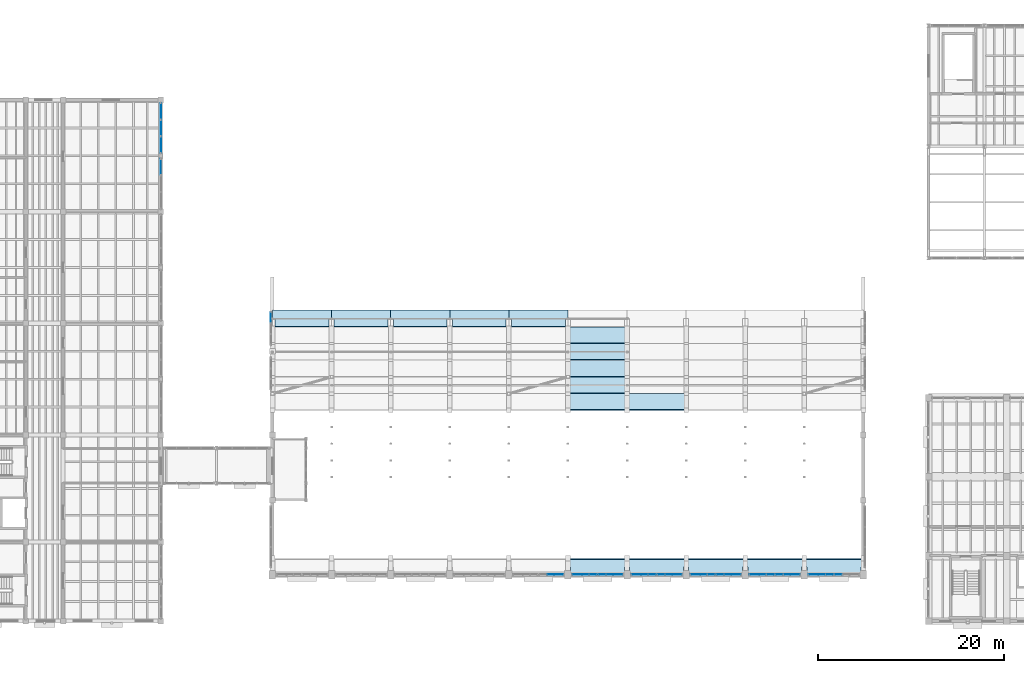
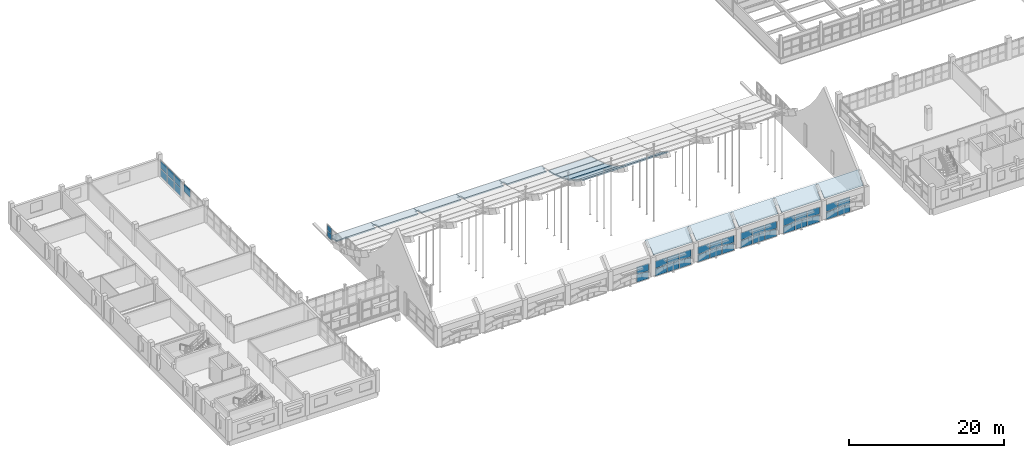
# One storey, part 50 of 77: 39 plates, 16 slabs, 9 elements without a shape of their own.
"""IFC4 building model written with IfcOpenShell, lengths in metres."""

from ifc_helpers import new_model, si_unit, direction, frame, origin, origin_2d, place, context, subcontext, project, spatial, polyline, rectangle, outline, extrude, material, layer, layer_set, type_object, element, aggregate, save


model = new_model("IFC4")

# Units and contexts
model_context = context("Model", 3, precision=1e-05, world=origin(), true_north=direction((0.0, 1.0)))
body_context = subcontext(model_context, "Body", "Model", "MODEL_VIEW")
ifc_project = project(units=[si_unit("LENGTHUNIT", "METRE"), si_unit("AREAUNIT", "SQUARE_METRE"), si_unit("VOLUMEUNIT", "CUBIC_METRE"), si_unit("PLANEANGLEUNIT", "RADIAN"), si_unit("MASSUNIT", "GRAM", prefix="KILO")], contexts=[model_context])

# Site, building, storey
site_placement = place(None, origin())
site = spatial("IfcSite", under=ifc_project, at=site_placement, CompositionType="ELEMENT")
building_placement = place(site_placement, origin())
building = spatial("IfcBuilding", under=site, at=building_placement, Name="Trellovar Central Fire Station", CompositionType="ELEMENT")
storey_placement = place(building_placement, frame((0.0, 0.0, 5.85009765625)))
storey = spatial("IfcBuildingStorey", under=building, at=storey_placement, Name="L02", CompositionType="ELEMENT", Elevation=5.85009765625)

# Curtain wall, plate
ifc_material_1 = material(Name="Thermally broken bronze anodized aluminum", Category="aluminium")
ifc_layer_1 = layer(ifc_material_1, 0.159912109375)
ifc_layer_set_1 = layer_set([ifc_layer_1], Name="Thermally broken bronze anodized aluminum")
curtain_wall_type_1 = type_object("IfcCurtainWallType", Name="CW-05", PredefinedType="NOTDEFINED", material=ifc_layer_set_1)
curtain_wall_1_placement = place(storey_placement, origin())
curtain_wall_1 = element("IfcCurtainWall", 1, at=curtain_wall_1_placement, inside=storey, type_object=curtain_wall_type_1, Name="V1 south upper clerestory 5", PredefinedType="NOTDEFINED")
ifc_material_2 = material(Name="Double low-E solar control insulated glazing", Category="glass")
ifc_layer_2 = layer(ifc_material_2, 0.031982421875)
ifc_layer_set_2 = layer_set([ifc_layer_2], Name="Double low-E solar control insulated glazing")
plate_type_1 = type_object("IfcPlateType", Name="CWP-GL1", PredefinedType="CURTAIN_PANEL", material=ifc_layer_set_2)
plate_1_placement = place(storey_placement, frame((65.3916015625, 14.0, 0.764892578125), z_axis=(0.0, 0.0, 1.0), x_axis=(1.0, 0.0, 0.0)))
plate_1 = element("IfcPlate", 2, at=plate_1_placement, type_object=plate_type_1, Name="CW3-L02-0005 panel 3-2", PredefinedType="CURTAIN_PANEL", context=body_context, shape_type="SweptSolid", body=[
    extrude(rectangle(XDim=1.73681640625, YDim=0.031982421875, at=origin_2d()), origin(), (0.0, 0.0, 1.0), 1.14501953125),
])

curtain_wall_2_placement = place(storey_placement, origin())
curtain_wall_2 = element("IfcCurtainWall", 3, at=curtain_wall_2_placement, inside=storey, type_object=curtain_wall_type_1, Name="V1 south upper clerestory 6", PredefinedType="NOTDEFINED")
plate_2_placement = place(storey_placement, frame((69.925048828125, 14.0, 0.764892578125), z_axis=(0.0, 0.0, 1.0), x_axis=(1.0, 0.0, 0.0)))
plate_2 = element("IfcPlate", 4, at=plate_2_placement, type_object=plate_type_1, Name="CW3-L02-0006 panel 2-2", PredefinedType="CURTAIN_PANEL", context=body_context, shape_type="SweptSolid", body=[
    extrude(rectangle(XDim=1.736572265625, YDim=0.031982421875, at=origin_2d()), origin(), (0.0, 0.0, 1.0), 1.14501953125),
])

curtain_wall_3_placement = place(storey_placement, origin())
curtain_wall_3 = element("IfcCurtainWall", 5, at=curtain_wall_3_placement, inside=storey, type_object=curtain_wall_type_1, Name="V1 south upper clerestory 7", PredefinedType="NOTDEFINED")
plate_3_placement = place(storey_placement, frame((74.458251953125, 14.0, 0.764892578125), z_axis=(0.0, 0.0, 1.0), x_axis=(1.0, 0.0, 0.0)))
plate_3 = element("IfcPlate", 6, at=plate_3_placement, type_object=plate_type_1, Name="CW3-L02-0007 panel 1-2", PredefinedType="CURTAIN_PANEL", context=body_context, shape_type="SweptSolid", body=[
    extrude(rectangle(XDim=1.73681640625, YDim=0.031982421875, at=origin_2d()), origin(), (0.0, 0.0, 1.0), 1.14501953125),
])

curtain_wall_4_placement = place(storey_placement, origin())
curtain_wall_4 = element("IfcCurtainWall", 7, at=curtain_wall_4_placement, inside=storey, type_object=curtain_wall_type_1, Name="V1 south upper clerestory 9", PredefinedType="NOTDEFINED")
plate_4_placement = place(storey_placement, frame((90.791748046875, 14.0, 0.764892578125), z_axis=(0.0, 0.0, 1.0), x_axis=(1.0, 0.0, 0.0)))
plate_4 = element("IfcPlate", 8, at=plate_4_placement, type_object=plate_type_1, Name="CW3-L02-0009 panel 3-2", PredefinedType="CURTAIN_PANEL", context=body_context, shape_type="SweptSolid", body=[
    extrude(rectangle(XDim=1.73681640625, YDim=0.031982421875, at=origin_2d()), origin(), (0.0, 0.0, 1.0), 1.14501953125),
])

curtain_wall_5_placement = place(storey_placement, origin())
curtain_wall_5 = element("IfcCurtainWall", 9, at=curtain_wall_5_placement, inside=storey, type_object=curtain_wall_type_1, Name="V1 south upper clerestory 10", PredefinedType="NOTDEFINED")
plate_5_placement = place(storey_placement, frame((95.324951171875, 14.0, 0.764892578125), z_axis=(0.0, 0.0, 1.0), x_axis=(1.0, 0.0, 0.0)))
plate_5 = element("IfcPlate", 10, at=plate_5_placement, type_object=plate_type_1, Name="CW3-L02-0010 panel 2-2", PredefinedType="CURTAIN_PANEL", context=body_context, shape_type="SweptSolid", body=[
    extrude(rectangle(XDim=1.736572265625, YDim=0.031982421875, at=origin_2d()), origin(), (0.0, 0.0, 1.0), 1.14501953125),
])

# Plate
ifc_material_3 = material(Name="Double low-E solar control insulated glazing", Category="glass")
ifc_layer_3 = layer(ifc_material_3, 0.035888671875)
ifc_layer_set_3 = layer_set([ifc_layer_3], Name="Double low-E solar control insulated glazing")
plate_type_2 = type_object("IfcPlateType", Name="CWP-GL2", PredefinedType="CURTAIN_PANEL", material=ifc_layer_set_3)
plate_6_placement = place(storey_placement, frame((71.74169921875, 14.0, 0.764892578125), z_axis=(0.0, 0.0, 1.0), x_axis=(1.0, 0.0, 0.0)))
plate_6 = element("IfcPlate", 11, at=plate_6_placement, type_object=plate_type_2, Name="CW3-L02-0006 panel 3-2", PredefinedType="CURTAIN_PANEL", context=body_context, shape_type="SweptSolid", body=[
    extrude(rectangle(XDim=1.73681640625, YDim=0.035888671875, at=origin_2d()), origin(), (0.0, 0.0, 1.0), 1.14501953125),
])

plate_7_placement = place(storey_placement, frame((76.27490234375, 14.0, 0.764892578125), z_axis=(0.0, 0.0, 1.0), x_axis=(1.0, 0.0, 0.0)))
plate_7 = element("IfcPlate", 12, at=plate_7_placement, type_object=plate_type_2, Name="CW3-L02-0007 panel 2-2", PredefinedType="CURTAIN_PANEL", context=body_context, shape_type="SweptSolid", body=[
    extrude(rectangle(XDim=1.736572265625, YDim=0.035888671875, at=origin_2d()), origin(), (0.0, 0.0, 1.0), 1.14501953125),
])

# Curtain wall, plate
curtain_wall_6_placement = place(storey_placement, origin())
curtain_wall_6 = element("IfcCurtainWall", 13, at=curtain_wall_6_placement, inside=storey, type_object=curtain_wall_type_1, Name="V1 south upper clerestory 8", PredefinedType="NOTDEFINED")
plate_8_placement = place(storey_placement, frame((80.808349609375, 14.0, 0.764892578125), z_axis=(0.0, 0.0, 1.0), x_axis=(1.0, 0.0, 0.0)))
plate_8 = element("IfcPlate", 14, at=plate_8_placement, type_object=plate_type_2, Name="CW3-L02-0008 panel 1-2", PredefinedType="CURTAIN_PANEL", context=body_context, shape_type="SweptSolid", body=[
    extrude(rectangle(XDim=1.73681640625, YDim=0.035888671875, at=origin_2d()), origin(), (0.0, 0.0, 1.0), 1.14501953125),
])

ifc_material_4 = material(Name="Thermally broken bronze anodized aluminum", Category="aluminium")
ifc_layer_4 = layer(ifc_material_4, 0.159912109375)
ifc_layer_set_4 = layer_set([ifc_layer_4], Name="Thermally broken bronze anodized aluminum")
curtain_wall_type_2 = type_object("IfcCurtainWallType", Name="CW-07", PredefinedType="NOTDEFINED", material=ifc_layer_set_4)
curtain_wall_7_placement = place(storey_placement, origin())
curtain_wall_7 = element("IfcCurtainWall", 15, at=curtain_wall_7_placement, inside=storey, type_object=curtain_wall_type_2, Name="V1 W ski-jump gable clerestory 5", PredefinedType="NOTDEFINED")
plate_9_placement = place(storey_placement, frame((34.820068359375, 41.61669921875, 0.14013671875), z_axis=(0.0, 0.0, 1.0), x_axis=(0.0, 1.0, 0.0)))
plate_9 = element("IfcPlate", 16, at=plate_9_placement, type_object=plate_type_2, Name="CW3-L02-0015 panel 3-1", PredefinedType="CURTAIN_PANEL", context=body_context, shape_type="SweptSolid", body=[
    extrude(rectangle(XDim=1.086669921875, YDim=0.035888671875, at=origin_2d()), origin(), (0.0, 0.0, 1.0), 0.844970703125),
])

ifc_material_5 = material(Name="Thermally broken bronze anodized aluminum", Category="aluminium")
ifc_layer_5 = layer(ifc_material_5, 0.159912109375)
ifc_layer_set_5 = layer_set([ifc_layer_5], Name="Thermally broken bronze anodized aluminum")
curtain_wall_type_3 = type_object("IfcCurtainWallType", Name="CW-02", PredefinedType="NOTDEFINED", material=ifc_layer_set_5)
curtain_wall_8_placement = place(storey_placement, origin())
curtain_wall_8 = element("IfcCurtainWall", 17, at=curtain_wall_8_placement, inside=storey, type_object=curtain_wall_type_3, Name="L02 curtain wall CW-2", PredefinedType="NOTDEFINED")
plate_10_placement = place(storey_placement, frame((23.0, 60.19580078125, 1.31494140625), z_axis=(0.0, 0.0, 1.0), x_axis=(0.0, 1.0, 0.0)))
plate_10 = element("IfcPlate", 18, at=plate_10_placement, type_object=plate_type_2, Name="CW3-L02-0044 panel 1-2", PredefinedType="CURTAIN_PANEL", context=body_context, shape_type="SweptSolid", body=[
    extrude(rectangle(XDim=1.711669921875, YDim=0.035888671875, at=origin_2d()), origin(), (0.0, 0.0, 1.0), 1.195068359375),
])

# Plate
ifc_material_6 = material(Name="Double low-E solar control insulated glazing", Category="glass")
ifc_layer_6 = layer(ifc_material_6, 0.033935546875)
ifc_layer_set_6 = layer_set([ifc_layer_6], Name="Double low-E solar control insulated glazing")
plate_type_3 = type_object("IfcPlateType", Name="CWP-GL3", PredefinedType="CURTAIN_PANEL", material=ifc_layer_set_6)
plate_11_placement = place(storey_placement, frame((78.091796875, 14.0, 0.764892578125), z_axis=(0.0, 0.0, 1.0), x_axis=(1.0, 0.0, 0.0)))
plate_11 = element("IfcPlate", 19, at=plate_11_placement, type_object=plate_type_3, Name="CW3-L02-0007 panel 3-2", PredefinedType="CURTAIN_PANEL", context=body_context, shape_type="SweptSolid", body=[
    extrude(rectangle(XDim=1.73681640625, YDim=0.033935546875, at=origin_2d()), origin(), (0.0, 0.0, 1.0), 1.14501953125),
])

plate_12_placement = place(storey_placement, frame((82.625, 14.0, 0.764892578125), z_axis=(0.0, 0.0, 1.0), x_axis=(1.0, 0.0, 0.0)))
plate_12 = element("IfcPlate", 20, at=plate_12_placement, type_object=plate_type_3, Name="CW3-L02-0008 panel 2-2", PredefinedType="CURTAIN_PANEL", context=body_context, shape_type="SweptSolid", body=[
    extrude(rectangle(XDim=1.736572265625, YDim=0.033935546875, at=origin_2d()), origin(), (0.0, 0.0, 1.0), 1.14501953125),
])

plate_13_placement = place(storey_placement, frame((87.158203125, 14.0, 0.764892578125), z_axis=(0.0, 0.0, 1.0), x_axis=(1.0, 0.0, 0.0)))
plate_13 = element("IfcPlate", 21, at=plate_13_placement, type_object=plate_type_3, Name="CW3-L02-0009 panel 1-2", PredefinedType="CURTAIN_PANEL", context=body_context, shape_type="SweptSolid", body=[
    extrude(rectangle(XDim=1.73681640625, YDim=0.033935546875, at=origin_2d()), origin(), (0.0, 0.0, 1.0), 1.14501953125),
])

plate_14_placement = place(storey_placement, frame((34.820068359375, 41.61669921875, 1.06494140625), z_axis=(0.0, 0.0, 1.0), x_axis=(0.0, 1.0, 0.0)))
plate_14 = element("IfcPlate", 22, at=plate_14_placement, type_object=plate_type_3, Name="CW3-L02-0015 panel 3-2", PredefinedType="CURTAIN_PANEL", context=body_context, shape_type="SweptSolid", body=[
    extrude(rectangle(XDim=1.086669921875, YDim=0.033935546875, at=origin_2d()), origin(), (0.0, 0.0, 1.0), 0.844970703125),
])

aggregate(curtain_wall_7, [plate_9, plate_14])

# Curtain wall, plate
curtain_wall_9_placement = place(storey_placement, origin())
curtain_wall_9 = element("IfcCurtainWall", 23, at=curtain_wall_9_placement, inside=storey, type_object=curtain_wall_type_3, Name="L02 curtain wall CW-2", PredefinedType="NOTDEFINED")
plate_15_placement = place(storey_placement, frame((23.0, 57.80419921875, 1.31494140625), z_axis=(0.0, 0.0, 1.0), x_axis=(0.0, 1.0, 0.0)))
plate_15 = element("IfcPlate", 24, at=plate_15_placement, type_object=plate_type_3, Name="CW3-L02-0043 panel 3-2", PredefinedType="CURTAIN_PANEL", context=body_context, shape_type="SweptSolid", body=[
    extrude(rectangle(XDim=1.711669921875, YDim=0.033935546875, at=origin_2d()), origin(), (0.0, 0.0, 1.0), 1.195068359375),
])
aggregate(curtain_wall_9, [plate_15])

# Plate
plate_16_placement = place(storey_placement, frame((23.0, 61.987548828125, 1.31494140625), z_axis=(0.0, 0.0, 1.0), x_axis=(0.0, 1.0, 0.0)))
plate_16 = element("IfcPlate", 25, at=plate_16_placement, type_object=plate_type_3, Name="CW3-L02-0044 panel 2-2", PredefinedType="CURTAIN_PANEL", context=body_context, shape_type="SweptSolid", body=[
    extrude(rectangle(XDim=1.711669921875, YDim=0.033935546875, at=origin_2d()), origin(), (0.0, 0.0, 1.0), 1.195068359375),
])

ifc_material_7 = material(Name="Double low-E solar control insulated glazing", Category="glass")
ifc_layer_7 = layer(ifc_material_7, 0.030029296875)
ifc_layer_set_7 = layer_set([ifc_layer_7], Name="Double low-E solar control insulated glazing")
plate_type_4 = type_object("IfcPlateType", Name="CWP-GL4", PredefinedType="CURTAIN_PANEL", material=ifc_layer_set_7)
plate_17_placement = place(storey_placement, frame((68.1083984375, 14.0, 0.764892578125), z_axis=(0.0, 0.0, 1.0), x_axis=(1.0, 0.0, 0.0)))
plate_17 = element("IfcPlate", 26, at=plate_17_placement, type_object=plate_type_4, Name="CW3-L02-0006 panel 1-2", PredefinedType="CURTAIN_PANEL", context=body_context, shape_type="SweptSolid", body=[
    extrude(rectangle(XDim=1.73681640625, YDim=0.030029296875, at=origin_2d()), origin(), (0.0, 0.0, 1.0), 1.14501953125),
])

plate_18_placement = place(storey_placement, frame((84.441650390625, 14.0, 0.764892578125), z_axis=(0.0, 0.0, 1.0), x_axis=(1.0, 0.0, 0.0)))
plate_18 = element("IfcPlate", 27, at=plate_18_placement, type_object=plate_type_4, Name="CW3-L02-0008 panel 3-2", PredefinedType="CURTAIN_PANEL", context=body_context, shape_type="SweptSolid", body=[
    extrude(rectangle(XDim=1.73681640625, YDim=0.030029296875, at=origin_2d()), origin(), (0.0, 0.0, 1.0), 1.14501953125),
])

plate_19_placement = place(storey_placement, frame((88.97509765625, 14.0, 0.764892578125), z_axis=(0.0, 0.0, 1.0), x_axis=(1.0, 0.0, 0.0)))
plate_19 = element("IfcPlate", 28, at=plate_19_placement, type_object=plate_type_4, Name="CW3-L02-0009 panel 2-2", PredefinedType="CURTAIN_PANEL", context=body_context, shape_type="SweptSolid", body=[
    extrude(rectangle(XDim=1.736572265625, YDim=0.030029296875, at=origin_2d()), origin(), (0.0, 0.0, 1.0), 1.14501953125),
])

plate_20_placement = place(storey_placement, frame((93.50830078125, 14.0, 0.764892578125), z_axis=(0.0, 0.0, 1.0), x_axis=(1.0, 0.0, 0.0)))
plate_20 = element("IfcPlate", 29, at=plate_20_placement, type_object=plate_type_4, Name="CW3-L02-0010 panel 1-2", PredefinedType="CURTAIN_PANEL", context=body_context, shape_type="SweptSolid", body=[
    extrude(rectangle(XDim=1.73681640625, YDim=0.030029296875, at=origin_2d()), origin(), (0.0, 0.0, 1.0), 1.14501953125),
])

plate_21_placement = place(storey_placement, frame((23.0, 63.779052734375, 1.31494140625), z_axis=(0.0, 0.0, 1.0), x_axis=(0.0, 1.0, 0.0)))
plate_21 = element("IfcPlate", 30, at=plate_21_placement, type_object=plate_type_4, Name="CW3-L02-0044 panel 3-2", PredefinedType="CURTAIN_PANEL", context=body_context, shape_type="SweptSolid", body=[
    extrude(rectangle(XDim=1.711669921875, YDim=0.030029296875, at=origin_2d()), origin(), (0.0, 0.0, 1.0), 1.195068359375),
])

ifc_material_8 = material(Name="Glazed ceramic trencadis and terracotta panel", Category="masonry")
ifc_layer_8 = layer(ifc_material_8, 0.048095703125)
ifc_layer_set_8 = layer_set([ifc_layer_8], Name="Glazed ceramic trencadis and terracotta panel")
plate_type_5 = type_object("IfcPlateType", Name="CWP-SP1", PredefinedType="CURTAIN_PANEL", material=ifc_layer_set_8)
plate_22_placement = place(storey_placement, frame((68.1083984375, 14.0, -0.460205078125), z_axis=(0.0, 0.0, 1.0), x_axis=(1.0, 0.0, 0.0)))
plate_22 = element("IfcPlate", 31, at=plate_22_placement, type_object=plate_type_5, Name="CW3-L02-0006 panel 1-1", PredefinedType="CURTAIN_PANEL", context=body_context, shape_type="SweptSolid", body=[
    extrude(rectangle(XDim=1.73681640625, YDim=0.048095703125, at=origin_2d()), origin(), (0.0, 0.0, 1.0), 1.14501953125),
])

plate_23_placement = place(storey_placement, frame((71.74169921875, 14.0, -0.460205078125), z_axis=(0.0, 0.0, 1.0), x_axis=(1.0, 0.0, 0.0)))
plate_23 = element("IfcPlate", 32, at=plate_23_placement, type_object=plate_type_5, Name="CW3-L02-0006 panel 3-1", PredefinedType="CURTAIN_PANEL", context=body_context, shape_type="SweptSolid", body=[
    extrude(rectangle(XDim=1.73681640625, YDim=0.048095703125, at=origin_2d()), origin(), (0.0, 0.0, 1.0), 1.14501953125),
])

plate_24_placement = place(storey_placement, frame((76.27490234375, 14.0, -0.460205078125), z_axis=(0.0, 0.0, 1.0), x_axis=(1.0, 0.0, 0.0)))
plate_24 = element("IfcPlate", 33, at=plate_24_placement, type_object=plate_type_5, Name="CW3-L02-0007 panel 2-1", PredefinedType="CURTAIN_PANEL", context=body_context, shape_type="SweptSolid", body=[
    extrude(rectangle(XDim=1.736572265625, YDim=0.048095703125, at=origin_2d()), origin(), (0.0, 0.0, 1.0), 1.14501953125),
])

plate_25_placement = place(storey_placement, frame((80.808349609375, 14.0, -0.460205078125), z_axis=(0.0, 0.0, 1.0), x_axis=(1.0, 0.0, 0.0)))
plate_25 = element("IfcPlate", 34, at=plate_25_placement, type_object=plate_type_5, Name="CW3-L02-0008 panel 1-1", PredefinedType="CURTAIN_PANEL", context=body_context, shape_type="SweptSolid", body=[
    extrude(rectangle(XDim=1.73681640625, YDim=0.048095703125, at=origin_2d()), origin(), (0.0, 0.0, 1.0), 1.14501953125),
])

plate_26_placement = place(storey_placement, frame((84.441650390625, 14.0, -0.460205078125), z_axis=(0.0, 0.0, 1.0), x_axis=(1.0, 0.0, 0.0)))
plate_26 = element("IfcPlate", 35, at=plate_26_placement, type_object=plate_type_5, Name="CW3-L02-0008 panel 3-1", PredefinedType="CURTAIN_PANEL", context=body_context, shape_type="SweptSolid", body=[
    extrude(rectangle(XDim=1.73681640625, YDim=0.048095703125, at=origin_2d()), origin(), (0.0, 0.0, 1.0), 1.14501953125),
])

plate_27_placement = place(storey_placement, frame((88.97509765625, 14.0, -0.460205078125), z_axis=(0.0, 0.0, 1.0), x_axis=(1.0, 0.0, 0.0)))
plate_27 = element("IfcPlate", 36, at=plate_27_placement, type_object=plate_type_5, Name="CW3-L02-0009 panel 2-1", PredefinedType="CURTAIN_PANEL", context=body_context, shape_type="SweptSolid", body=[
    extrude(rectangle(XDim=1.736572265625, YDim=0.048095703125, at=origin_2d()), origin(), (0.0, 0.0, 1.0), 1.14501953125),
])

plate_28_placement = place(storey_placement, frame((93.50830078125, 14.0, -0.460205078125), z_axis=(0.0, 0.0, 1.0), x_axis=(1.0, 0.0, 0.0)))
plate_28 = element("IfcPlate", 37, at=plate_28_placement, type_object=plate_type_5, Name="CW3-L02-0010 panel 1-1", PredefinedType="CURTAIN_PANEL", context=body_context, shape_type="SweptSolid", body=[
    extrude(rectangle(XDim=1.73681640625, YDim=0.048095703125, at=origin_2d()), origin(), (0.0, 0.0, 1.0), 1.14501953125),
])

plate_29_placement = place(storey_placement, frame((23.0, 60.19580078125, 0.0400390625), z_axis=(0.0, 0.0, 1.0), x_axis=(0.0, 1.0, 0.0)))
plate_29 = element("IfcPlate", 38, at=plate_29_placement, type_object=plate_type_5, Name="CW3-L02-0044 panel 1-1", PredefinedType="CURTAIN_PANEL", context=body_context, shape_type="SweptSolid", body=[
    extrude(rectangle(XDim=1.711669921875, YDim=0.048095703125, at=origin_2d()), origin(), (0.0, 0.0, 1.0), 1.195068359375),
])

plate_30_placement = place(storey_placement, frame((23.0, 63.779052734375, 0.0400390625), z_axis=(0.0, 0.0, 1.0), x_axis=(0.0, 1.0, 0.0)))
plate_30 = element("IfcPlate", 39, at=plate_30_placement, type_object=plate_type_5, Name="CW3-L02-0044 panel 3-1", PredefinedType="CURTAIN_PANEL", context=body_context, shape_type="SweptSolid", body=[
    extrude(rectangle(XDim=1.711669921875, YDim=0.048095703125, at=origin_2d()), origin(), (0.0, 0.0, 1.0), 1.195068359375),
])

ifc_material_9 = material(Name="Glazed ceramic trencadis and terracotta panel", Category="masonry")
ifc_layer_9 = layer(ifc_material_9, 0.044921875)
ifc_layer_set_9 = layer_set([ifc_layer_9], Name="Glazed ceramic trencadis and terracotta panel")
plate_type_6 = type_object("IfcPlateType", Name="CWP-SP2", PredefinedType="CURTAIN_PANEL", material=ifc_layer_set_9)
plate_31_placement = place(storey_placement, frame((65.3916015625, 14.0, -0.460205078125), z_axis=(0.0, 0.0, 1.0), x_axis=(1.0, 0.0, 0.0)))
plate_31 = element("IfcPlate", 40, at=plate_31_placement, type_object=plate_type_6, Name="CW3-L02-0005 panel 3-1", PredefinedType="CURTAIN_PANEL", context=body_context, shape_type="SweptSolid", body=[
    extrude(rectangle(XDim=1.73681640625, YDim=0.044921875, at=origin_2d()), origin(), (0.0, 0.0, 1.0), 1.14501953125),
])

aggregate(curtain_wall_1, [plate_31, plate_1])

plate_32_placement = place(storey_placement, frame((69.925048828125, 14.0, -0.460205078125), z_axis=(0.0, 0.0, 1.0), x_axis=(1.0, 0.0, 0.0)))
plate_32 = element("IfcPlate", 41, at=plate_32_placement, type_object=plate_type_6, Name="CW3-L02-0006 panel 2-1", PredefinedType="CURTAIN_PANEL", context=body_context, shape_type="SweptSolid", body=[
    extrude(rectangle(XDim=1.736572265625, YDim=0.044921875, at=origin_2d()), origin(), (0.0, 0.0, 1.0), 1.14501953125),
])

aggregate(curtain_wall_2, [plate_22, plate_17, plate_32, plate_2, plate_23, plate_6])

plate_33_placement = place(storey_placement, frame((74.458251953125, 14.0, -0.460205078125), z_axis=(0.0, 0.0, 1.0), x_axis=(1.0, 0.0, 0.0)))
plate_33 = element("IfcPlate", 42, at=plate_33_placement, type_object=plate_type_6, Name="CW3-L02-0007 panel 1-1", PredefinedType="CURTAIN_PANEL", context=body_context, shape_type="SweptSolid", body=[
    extrude(rectangle(XDim=1.73681640625, YDim=0.044921875, at=origin_2d()), origin(), (0.0, 0.0, 1.0), 1.14501953125),
])

plate_34_placement = place(storey_placement, frame((78.091796875, 14.0, -0.460205078125), z_axis=(0.0, 0.0, 1.0), x_axis=(1.0, 0.0, 0.0)))
plate_34 = element("IfcPlate", 43, at=plate_34_placement, type_object=plate_type_6, Name="CW3-L02-0007 panel 3-1", PredefinedType="CURTAIN_PANEL", context=body_context, shape_type="SweptSolid", body=[
    extrude(rectangle(XDim=1.73681640625, YDim=0.044921875, at=origin_2d()), origin(), (0.0, 0.0, 1.0), 1.14501953125),
])

aggregate(curtain_wall_3, [plate_33, plate_3, plate_24, plate_7, plate_34, plate_11])

plate_35_placement = place(storey_placement, frame((82.625, 14.0, -0.460205078125), z_axis=(0.0, 0.0, 1.0), x_axis=(1.0, 0.0, 0.0)))
plate_35 = element("IfcPlate", 44, at=plate_35_placement, type_object=plate_type_6, Name="CW3-L02-0008 panel 2-1", PredefinedType="CURTAIN_PANEL", context=body_context, shape_type="SweptSolid", body=[
    extrude(rectangle(XDim=1.736572265625, YDim=0.044921875, at=origin_2d()), origin(), (0.0, 0.0, 1.0), 1.14501953125),
])

aggregate(curtain_wall_6, [plate_25, plate_8, plate_35, plate_12, plate_26, plate_18])

plate_36_placement = place(storey_placement, frame((87.158203125, 14.0, -0.460205078125), z_axis=(0.0, 0.0, 1.0), x_axis=(1.0, 0.0, 0.0)))
plate_36 = element("IfcPlate", 45, at=plate_36_placement, type_object=plate_type_6, Name="CW3-L02-0009 panel 1-1", PredefinedType="CURTAIN_PANEL", context=body_context, shape_type="SweptSolid", body=[
    extrude(rectangle(XDim=1.73681640625, YDim=0.044921875, at=origin_2d()), origin(), (0.0, 0.0, 1.0), 1.14501953125),
])

plate_37_placement = place(storey_placement, frame((90.791748046875, 14.0, -0.460205078125), z_axis=(0.0, 0.0, 1.0), x_axis=(1.0, 0.0, 0.0)))
plate_37 = element("IfcPlate", 46, at=plate_37_placement, type_object=plate_type_6, Name="CW3-L02-0009 panel 3-1", PredefinedType="CURTAIN_PANEL", context=body_context, shape_type="SweptSolid", body=[
    extrude(rectangle(XDim=1.73681640625, YDim=0.044921875, at=origin_2d()), origin(), (0.0, 0.0, 1.0), 1.14501953125),
])

aggregate(curtain_wall_4, [plate_36, plate_13, plate_27, plate_19, plate_37, plate_4])

plate_38_placement = place(storey_placement, frame((95.324951171875, 14.0, -0.460205078125), z_axis=(0.0, 0.0, 1.0), x_axis=(1.0, 0.0, 0.0)))
plate_38 = element("IfcPlate", 47, at=plate_38_placement, type_object=plate_type_6, Name="CW3-L02-0010 panel 2-1", PredefinedType="CURTAIN_PANEL", context=body_context, shape_type="SweptSolid", body=[
    extrude(rectangle(XDim=1.736572265625, YDim=0.044921875, at=origin_2d()), origin(), (0.0, 0.0, 1.0), 1.14501953125),
])

aggregate(curtain_wall_5, [plate_28, plate_20, plate_38, plate_5])

plate_39_placement = place(storey_placement, frame((23.0, 61.987548828125, 0.0400390625), z_axis=(0.0, 0.0, 1.0), x_axis=(0.0, 1.0, 0.0)))
plate_39 = element("IfcPlate", 48, at=plate_39_placement, type_object=plate_type_6, Name="CW3-L02-0044 panel 2-1", PredefinedType="CURTAIN_PANEL", context=body_context, shape_type="SweptSolid", body=[
    extrude(rectangle(XDim=1.711669921875, YDim=0.044921875, at=origin_2d()), origin(), (0.0, 0.0, 1.0), 1.195068359375),
])

aggregate(curtain_wall_8, [plate_29, plate_10, plate_39, plate_16, plate_30, plate_21])

# Slabs
ifc_material_10 = material(Name="Concrete C40/50", Category="concrete")
ifc_layer_10 = layer(ifc_material_10, 0.179931640625)
ifc_layer_set_10 = layer_set([ifc_layer_10], Name="Concrete C40/50")
slab_type = type_object("IfcSlabType", Name="SLB-VLT180", PredefinedType="ROOF", material=ifc_layer_set_10)
slab_1_placement = place(storey_placement, frame((35.280029296875, 40.655029296875, 0.141357421875), z_axis=(0.0, 0.183116786716, 0.983091166893), x_axis=(1.0, 0.0, 0.0)))
element("IfcSlab", 49, at=slab_1_placement, inside=storey, type_object=slab_type, Name="Catalan ski-jump vault strip V1-01-16", PredefinedType="ROOF", context=body_context, shape_type="SweptSolid", body=[
    extrude(outline(polyline([(0.0, 0.0), (5.7900390625, 0.0), (5.7900390625, 0.8932781187532749), (6.070068359375, 0.8932781187532749), (6.070068359375, 1.7865562375065498), (-0.280029296875, 1.7865562375065498), (-0.280029296875, 0.8932781187532749), (0.0, 0.8932781187532749), (0.0, 0.0)])), origin(), (0.0, 0.0, -1.0), 0.179931640625),
])
slab_2_placement = place(storey_placement, frame((41.6298828125, 40.655029296875, 0.141357421875), z_axis=(0.0, 0.183116786716, 0.983091166893), x_axis=(1.0, 0.0, 0.0)))
element("IfcSlab", 50, at=slab_2_placement, inside=storey, type_object=slab_type, Name="Catalan ski-jump vault strip V1-02-16", PredefinedType="ROOF", context=body_context, shape_type="SweptSolid", body=[
    extrude(outline(polyline([(0.0, 0.0), (5.7900390625, 0.0), (5.7900390625, 0.893278118753275), (6.070068359375, 0.893278118753275), (6.070068359375, 1.78655623750655), (-0.27978515625, 1.78655623750655), (-0.27978515625, 0.893278118753275), (0.0, 0.893278118753275), (0.0, 0.0)])), origin(), (0.0, 0.0, -1.0), 0.179931640625),
])
slab_3_placement = place(storey_placement, frame((47.97998046875, 40.655029296875, 0.141357421875), z_axis=(0.0, 0.183116786716, 0.983091166893), x_axis=(1.0, 0.0, 0.0)))
element("IfcSlab", 51, at=slab_3_placement, inside=storey, type_object=slab_type, Name="Catalan ski-jump vault strip V1-03-16", PredefinedType="ROOF", context=body_context, shape_type="SweptSolid", body=[
    extrude(outline(polyline([(0.0, 0.0), (5.7900390625, 0.0), (5.7900390625, 0.8932781187532749), (6.070068359375, 0.8932781187532749), (6.070068359375, 1.7865562375065498), (-0.280029296875, 1.7865562375065498), (-0.280029296875, 0.8932781187532749), (0.0, 0.8932781187532749), (0.0, 0.0)])), origin(), (0.0, 0.0, -1.0), 0.179931640625),
])
slab_4_placement = place(storey_placement, frame((54.330078125, 40.655029296875, 0.141357421875), z_axis=(0.0, 0.183116786716, 0.983091166893), x_axis=(1.0, 0.0, 0.0)))
element("IfcSlab", 52, at=slab_4_placement, inside=storey, type_object=slab_type, Name="Catalan ski-jump vault strip V1-04-16", PredefinedType="ROOF", context=body_context, shape_type="SweptSolid", body=[
    extrude(outline(polyline([(0.0, 0.0), (5.7900390625, 0.0), (5.7900390625, 0.893278118753275), (6.06982421875, 0.893278118753275), (6.06982421875, 1.78655623750655), (-0.280029296875, 1.78655623750655), (-0.280029296875, 0.893278118753275), (0.0, 0.893278118753275), (0.0, 0.0)])), origin(), (0.0, 0.0, -1.0), 0.179931640625),
])
slab_5_placement = place(storey_placement, frame((60.679931640625, 40.655029296875, 0.141357421875), z_axis=(0.0, 0.183116786716, 0.983091166893), x_axis=(1.0, 0.0, 0.0)))
element("IfcSlab", 53, at=slab_5_placement, inside=storey, type_object=slab_type, Name="Catalan ski-jump vault strip V1-05-16", PredefinedType="ROOF", context=body_context, shape_type="SweptSolid", body=[
    extrude(outline(polyline([(0.0, 0.0), (5.7900390625, 0.0), (5.7900390625, 0.8932781187532749), (6.070068359375, 0.8932781187532749), (6.070068359375, 1.7865562375065498), (-0.280029296875, 1.7865562375065498), (-0.280029296875, 0.8932781187532749), (0.0, 0.8932781187532749), (0.0, 0.0)])), origin(), (0.0, 0.0, -1.0), 0.179931640625),
])
slab_6_placement = place(storey_placement, frame((67.030029296875, 14.001953125, 2.95166015625), z_axis=(0.0, -0.66769845156, 0.744431848985), x_axis=(1.0, 0.0, 0.0)))
element("IfcSlab", 54, at=slab_6_placement, inside=storey, type_object=slab_type, Name="Catalan ski-jump vault strip V1-06-01", PredefinedType="ROOF", context=body_context, shape_type="SweptSolid", body=[
    extrude(outline(polyline([(0.0, 0.0), (5.7900390625, 0.0), (5.7900390625, 1.0898818648144746), (6.070068359375, 1.0898818648144746), (6.070068359375, 2.1796007173116734), (-0.280029296875, 2.1796007173116734), (-0.280029296875, 1.0898818648144746), (0.0, 1.0898818648144746), (0.0, 0.0)])), origin(), (0.0, 0.0, -1.0), 0.179931640625),
])
slab_7_placement = place(storey_placement, frame((66.75, 31.754150390625, 4.123291015625), z_axis=(0.0, 0.549425882728, 0.835542458161), x_axis=(1.0, 0.0, 0.0)))
element("IfcSlab", 55, at=slab_7_placement, inside=storey, type_object=slab_type, Name="Catalan ski-jump vault strip V1-06-11", PredefinedType="ROOF", context=body_context, shape_type="SweptSolid", body=[
    extrude(outline(polyline([(0.0, 0.0), (6.35009765625, 0.0), (6.35009765625, 2.0231523496978774), (0.0, 2.0231523496978774), (0.0, 0.0)])), origin(), (0.0, 0.0, -1.0), 0.179931640625),
])
slab_8_placement = place(storey_placement, frame((66.75, 33.534423828125, 2.962890625), z_axis=(0.0, 0.476210075204, 0.879331544), x_axis=(1.0, 0.0, 0.0)))
element("IfcSlab", 56, at=slab_8_placement, inside=storey, type_object=slab_type, Name="Catalan ski-jump vault strip V1-06-12", PredefinedType="ROOF", context=body_context, shape_type="SweptSolid", body=[
    extrude(outline(polyline([(0.0, 0.0), (6.35009765625, 0.0), (6.35009765625, 1.9373958467360834), (0.0, 1.9373958467360834), (0.0, 0.0)])), origin(), (0.0, 0.0, -1.0), 0.179931640625),
])
slab_9_placement = place(storey_placement, frame((66.75, 35.314453125, 2.00634765625), z_axis=(0.0, 0.40294796215, 0.915222890775), x_axis=(1.0, 0.0, 0.0)))
element("IfcSlab", 57, at=slab_9_placement, inside=storey, type_object=slab_type, Name="Catalan ski-jump vault strip V1-06-13", PredefinedType="ROOF", context=body_context, shape_type="SweptSolid", body=[
    extrude(outline(polyline([(0.0, 0.0), (6.35009765625, 0.0), (6.35009765625, 1.8758237936397855), (0.0, 1.8758237936397855), (0.0, 0.0)])), origin(), (0.0, 0.0, -1.0), 0.179931640625),
])
slab_10_placement = place(storey_placement, frame((66.75, 37.094482421875, 1.228271484375), z_axis=(0.0, 0.329584823696, 0.944125968284), x_axis=(1.0, 0.0, 0.0)))
element("IfcSlab", 58, at=slab_10_placement, inside=storey, type_object=slab_type, Name="Catalan ski-jump vault strip V1-06-14", PredefinedType="ROOF", context=body_context, shape_type="SweptSolid", body=[
    extrude(outline(polyline([(0.0, 0.0), (6.35009765625, 0.0), (6.35009765625, 1.8326205056290652), (0.0, 1.8326205056290652), (0.0, 0.0)])), origin(), (0.0, 0.0, -1.0), 0.179931640625),
])
slab_11_placement = place(storey_placement, frame((66.75, 38.875, 0.61083984375), z_axis=(0.0, 0.256432117623, 0.96656224272), x_axis=(1.0, 0.0, 0.0)))
element("IfcSlab", 59, at=slab_11_placement, inside=storey, type_object=slab_type, Name="Catalan ski-jump vault strip V1-06-15", PredefinedType="ROOF", context=body_context, shape_type="SweptSolid", body=[
    extrude(outline(polyline([(0.0, 0.0), (6.35009765625, 0.0), (6.35009765625, 1.8032154007700383), (0.0, 1.8032154007700383), (0.0, 0.0)])), origin(), (0.0, 0.0, -1.0), 0.179931640625),
])
slab_12_placement = place(storey_placement, frame((73.3798828125, 14.001953125, 2.95166015625), z_axis=(0.0, -0.667698452751, 0.744431847917), x_axis=(1.0, 0.0, 0.0)))
element("IfcSlab", 60, at=slab_12_placement, inside=storey, type_object=slab_type, Name="Catalan ski-jump vault strip V1-07-01", PredefinedType="ROOF", context=body_context, shape_type="SweptSolid", body=[
    extrude(outline(polyline([(0.0, 0.0), (5.7900390625, 0.0), (5.7900390625, 1.0898818648146267), (6.070068359375, 1.0898818648146267), (6.070068359375, 2.179600717311687), (-0.27978515625, 2.179600717311687), (-0.27978515625, 1.0898818648146267), (0.0, 1.0898818648146267), (0.0, 0.0)])), origin(), (0.0, 0.0, -1.0), 0.179931640625),
])
slab_13_placement = place(storey_placement, frame((73.10009765625, 31.754150390625, 4.123291015625), z_axis=(0.0, 0.549425882728, 0.835542458161), x_axis=(1.0, 0.0, 0.0)))
element("IfcSlab", 61, at=slab_13_placement, inside=storey, type_object=slab_type, Name="Catalan ski-jump vault strip V1-07-11", PredefinedType="ROOF", context=body_context, shape_type="SweptSolid", body=[
    extrude(outline(polyline([(0.0, 0.0), (6.349853515625, 0.0), (6.349853515625, 2.023152349697878), (0.0, 2.023152349697878), (0.0, 0.0)])), origin(), (0.0, 0.0, -1.0), 0.179931640625),
])
slab_14_placement = place(storey_placement, frame((79.72998046875, 14.001953125, 2.95166015625), z_axis=(0.0, -0.66769845156, 0.744431848985), x_axis=(1.0, 0.0, 0.0)))
element("IfcSlab", 62, at=slab_14_placement, inside=storey, type_object=slab_type, Name="Catalan ski-jump vault strip V1-08-01", PredefinedType="ROOF", context=body_context, shape_type="SweptSolid", body=[
    extrude(outline(polyline([(0.0, 0.0), (5.7900390625, 0.0), (5.7900390625, 1.0898818648144746), (6.070068359375, 1.0898818648144746), (6.070068359375, 2.1796007173116734), (-0.280029296875, 2.1796007173116734), (-0.280029296875, 1.0898818648144746), (0.0, 1.0898818648144746), (0.0, 0.0)])), origin(), (0.0, 0.0, -1.0), 0.179931640625),
])
slab_15_placement = place(storey_placement, frame((86.080078125, 14.001953125, 2.95166015625), z_axis=(0.0, -0.667698452751, 0.744431847917), x_axis=(1.0, 0.0, 0.0)))
element("IfcSlab", 63, at=slab_15_placement, inside=storey, type_object=slab_type, Name="Catalan ski-jump vault strip V1-09-01", PredefinedType="ROOF", context=body_context, shape_type="SweptSolid", body=[
    extrude(outline(polyline([(0.0, 0.0), (5.7900390625, 0.0), (5.7900390625, 1.0898818648146267), (6.06982421875, 1.0898818648146267), (6.06982421875, 2.179600717311687), (-0.280029296875, 2.179600717311687), (-0.280029296875, 1.0898818648146267), (0.0, 1.0898818648146267), (0.0, 0.0)])), origin(), (0.0, 0.0, -1.0), 0.179931640625),
])
slab_16_placement = place(storey_placement, frame((92.429931640625, 14.001953125, 2.95166015625), z_axis=(0.0, -0.66769845156, 0.744431848985), x_axis=(1.0, 0.0, 0.0)))
element("IfcSlab", 64, at=slab_16_placement, inside=storey, type_object=slab_type, Name="Catalan ski-jump vault strip V1-10-01", PredefinedType="ROOF", context=body_context, shape_type="SweptSolid", body=[
    extrude(outline(polyline([(0.0, 0.0), (5.7900390625, 0.0), (5.7900390625, 1.0898818648144746), (6.070068359375, 1.0898818648144746), (6.070068359375, 2.1796007173116734), (-0.280029296875, 2.1796007173116734), (-0.280029296875, 1.0898818648144746), (0.0, 1.0898818648144746), (0.0, 0.0)])), origin(), (0.0, 0.0, -1.0), 0.179931640625),
])

save(model, "model.ifc")
